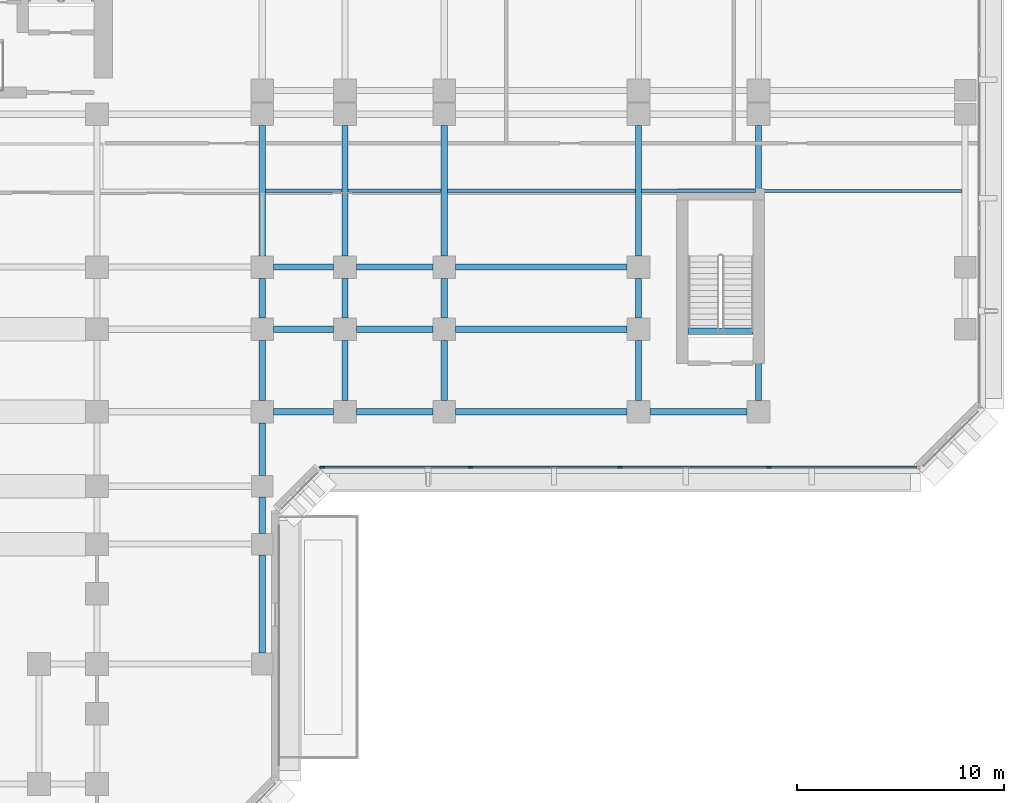
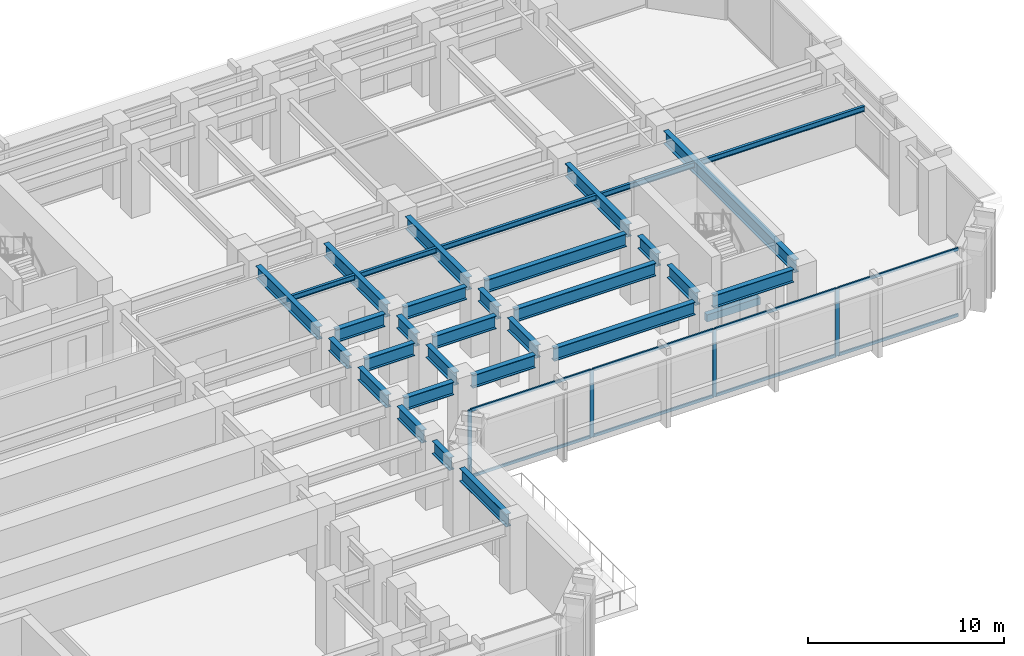
# One storey, part 3 of 16: 32 beams, 12 members, 1 element without a shape of its own.
"""IFC4 building model written with IfcOpenShell, lengths in metres."""

from ifc_helpers import new_model, si_unit, direction, frame, origin, origin_2d, place, context, subcontext, project, spatial, rectangle, i_section, extrude, material, layer, layer_set, material_profile, profile_set, type_object, element, aggregate, save


model = new_model("IFC4")

# Units and contexts
model_context = context("Model", 3, precision=1e-05, world=origin(), true_north=direction((0.0, 1.0)))
body_context = subcontext(model_context, "Body", "Model", "MODEL_VIEW")
ifc_project = project(units=[si_unit("LENGTHUNIT", "METRE"), si_unit("AREAUNIT", "SQUARE_METRE"), si_unit("VOLUMEUNIT", "CUBIC_METRE"), si_unit("PLANEANGLEUNIT", "RADIAN"), si_unit("MASSUNIT", "GRAM", prefix="KILO")], contexts=[model_context])

# Site, building, storey
site_placement = place(None, origin())
site = spatial("IfcSite", under=ifc_project, at=site_placement, CompositionType="ELEMENT")
building_placement = place(site_placement, origin())
building = spatial("IfcBuilding", under=site, at=building_placement, Name="Kefirva Bronze Tower", CompositionType="ELEMENT")
storey_placement = place(building_placement, frame((0.0, 0.0, 21.1201171875)))
storey = spatial("IfcBuildingStorey", under=building, at=storey_placement, Name="L04", CompositionType="ELEMENT", Elevation=21.1201171875)

# Curtain wall, members
ifc_material_1 = material(Name="Bronze anodised aluminium", Category="aluminium")
ifc_layer = layer(ifc_material_1, 0.239990234375, Name="Bronze anodised aluminium")
ifc_layer_set = layer_set([ifc_layer], Name="Bronze anodised aluminium")
curtain_wall_type = type_object("IfcCurtainWallType", Name="Podium Double-Height Glazed Curtain Wall", PredefinedType="USERDEFINED", material=ifc_layer_set)
curtain_wall_placement = place(storey_placement, origin())
curtain_wall = element("IfcCurtainWall", 1, at=curtain_wall_placement, inside=storey, type_object=curtain_wall_type, Name="L04 Curtain Wall 2", ObjectType="UNITISED CURTAIN WALL", PredefinedType="USERDEFINED")
ifc_material_profile_1 = material_profile(ifc_material_1, rectangle(XDim=0.090087890625, YDim=0.219970703125, at=origin_2d()), Name="ALU 90x220")
ifc_profile_set_1 = profile_set([ifc_material_profile_1], Name="Bronze anodised aluminium")
member_type_1 = type_object("IfcMemberType", Name="Bronze Mullion 90x220", PredefinedType="MULLION", material=ifc_profile_set_1)
member_1_placement = place(storey_placement, frame((34.10009765625, 16.1201171875, 0.0), z_axis=(0.0, 0.0, 1.0), x_axis=(0.0, 1.0, 0.0)))
member_1 = element("IfcMember", 2, at=member_1_placement, type_object=member_type_1, Name="CW-05 mullion 1", PredefinedType="MULLION", context=body_context, shape_type="SweptSolid", body=[
    extrude(rectangle(XDim=0.090087890625, YDim=0.219970703125, at=origin_2d()), origin(), (0.0, 0.0, 1.0), 4.199951171875),
])
member_2_placement = place(storey_placement, frame((41.277587890625, 16.1201171875, 0.0), z_axis=(0.0, 0.0, 1.0), x_axis=(0.0, 1.0, 0.0)))
member_2 = element("IfcMember", 3, at=member_2_placement, type_object=member_type_1, Name="CW-05 mullion 2", PredefinedType="MULLION", context=body_context, shape_type="SweptSolid", body=[
    extrude(rectangle(XDim=0.090087890625, YDim=0.219970703125, at=origin_2d()), origin(), (0.0, 0.0, 1.0), 4.199951171875),
])
member_3_placement = place(storey_placement, frame((48.5, 16.1201171875, 0.0), z_axis=(0.0, 0.0, 1.0), x_axis=(0.0, 1.0, 0.0)))
member_3 = element("IfcMember", 4, at=member_3_placement, type_object=member_type_1, Name="CW-05 mullion 3", PredefinedType="MULLION", context=body_context, shape_type="SweptSolid", body=[
    extrude(rectangle(XDim=0.090087890625, YDim=0.219970703125, at=origin_2d()), origin(), (0.0, 0.0, 1.0), 4.199951171875),
])
member_4_placement = place(storey_placement, frame((55.722412109375, 16.1201171875, 0.0), z_axis=(0.0, 0.0, 1.0), x_axis=(0.0, 1.0, 0.0)))
member_4 = element("IfcMember", 5, at=member_4_placement, type_object=member_type_1, Name="CW-05 mullion 4", PredefinedType="MULLION", context=body_context, shape_type="SweptSolid", body=[
    extrude(rectangle(XDim=0.090087890625, YDim=0.219970703125, at=origin_2d()), origin(), (0.0, 0.0, 1.0), 4.199951171875),
])
ifc_material_profile_2 = material_profile(ifc_material_1, rectangle(XDim=0.090087890625, YDim=0.179931640625, at=origin_2d()), Name="ALU 90x180")
ifc_profile_set_2 = profile_set([ifc_material_profile_2], Name="Bronze anodised aluminium")
member_type_2 = type_object("IfcMemberType", Name="Bronze Transom 90x180", PredefinedType="USERDEFINED", material=ifc_profile_set_2)
member_5_placement = place(storey_placement, frame((34.14501953125, 16.1201171875, 0.044921875), z_axis=(1.0, 0.0, 0.0), x_axis=(0.0, 1.0, 0.0)))
member_5 = element("IfcMember", 6, at=member_5_placement, type_object=member_type_2, Name="CW-05 transom 1.1", ObjectType="TRANSOM", PredefinedType="USERDEFINED", context=body_context, shape_type="SweptSolid", body=[
    extrude(rectangle(XDim=0.090087890625, YDim=0.179931640625, at=origin_2d()), origin(), (0.0, 0.0, 1.0), 7.08740234375),
])
member_6_placement = place(storey_placement, frame((34.14501953125, 16.1201171875, 4.15478515625), z_axis=(1.0, 0.0, 0.0), x_axis=(0.0, 1.0, 0.0)))
member_6 = element("IfcMember", 7, at=member_6_placement, type_object=member_type_2, Name="CW-05 transom 1.2", ObjectType="TRANSOM", PredefinedType="USERDEFINED", context=body_context, shape_type="SweptSolid", body=[
    extrude(rectangle(XDim=0.090087890625, YDim=0.179931640625, at=origin_2d()), origin(), (0.0, 0.0, 1.0), 7.08740234375),
])
member_7_placement = place(storey_placement, frame((41.322509765625, 16.1201171875, 0.044921875), z_axis=(1.0, 0.0, 0.0), x_axis=(0.0, 1.0, 0.0)))
member_7 = element("IfcMember", 8, at=member_7_placement, type_object=member_type_2, Name="CW-05 transom 2.1", ObjectType="TRANSOM", PredefinedType="USERDEFINED", context=body_context, shape_type="SweptSolid", body=[
    extrude(rectangle(XDim=0.090087890625, YDim=0.179931640625, at=origin_2d()), origin(), (0.0, 0.0, 1.0), 7.132568359375),
])
member_8_placement = place(storey_placement, frame((41.322509765625, 16.1201171875, 4.15478515625), z_axis=(1.0, 0.0, 0.0), x_axis=(0.0, 1.0, 0.0)))
member_8 = element("IfcMember", 9, at=member_8_placement, type_object=member_type_2, Name="CW-05 transom 2.2", ObjectType="TRANSOM", PredefinedType="USERDEFINED", context=body_context, shape_type="SweptSolid", body=[
    extrude(rectangle(XDim=0.090087890625, YDim=0.179931640625, at=origin_2d()), origin(), (0.0, 0.0, 1.0), 7.132568359375),
])
member_9_placement = place(storey_placement, frame((48.544921875, 16.1201171875, 0.044921875), z_axis=(1.0, 0.0, 0.0), x_axis=(0.0, 1.0, 0.0)))
member_9 = element("IfcMember", 10, at=member_9_placement, type_object=member_type_2, Name="CW-05 transom 3.1", ObjectType="TRANSOM", PredefinedType="USERDEFINED", context=body_context, shape_type="SweptSolid", body=[
    extrude(rectangle(XDim=0.090087890625, YDim=0.179931640625, at=origin_2d()), origin(), (0.0, 0.0, 1.0), 7.132568359375),
])
member_10_placement = place(storey_placement, frame((48.544921875, 16.1201171875, 4.15478515625), z_axis=(1.0, 0.0, 0.0), x_axis=(0.0, 1.0, 0.0)))
member_10 = element("IfcMember", 11, at=member_10_placement, type_object=member_type_2, Name="CW-05 transom 3.2", ObjectType="TRANSOM", PredefinedType="USERDEFINED", context=body_context, shape_type="SweptSolid", body=[
    extrude(rectangle(XDim=0.090087890625, YDim=0.179931640625, at=origin_2d()), origin(), (0.0, 0.0, 1.0), 7.132568359375),
])
member_11_placement = place(storey_placement, frame((55.767578125, 16.1201171875, 0.044921875), z_axis=(1.0, 0.0, 0.0), x_axis=(0.0, 1.0, 0.0)))
member_11 = element("IfcMember", 12, at=member_11_placement, type_object=member_type_2, Name="CW-05 transom 4.1", ObjectType="TRANSOM", PredefinedType="USERDEFINED", context=body_context, shape_type="SweptSolid", body=[
    extrude(rectangle(XDim=0.090087890625, YDim=0.179931640625, at=origin_2d()), origin(), (0.0, 0.0, 1.0), 7.08740234375),
])
member_12_placement = place(storey_placement, frame((55.767578125, 16.1201171875, 4.15478515625), z_axis=(1.0, 0.0, 0.0), x_axis=(0.0, 1.0, 0.0)))
member_12 = element("IfcMember", 13, at=member_12_placement, type_object=member_type_2, Name="CW-05 transom 4.2", ObjectType="TRANSOM", PredefinedType="USERDEFINED", context=body_context, shape_type="SweptSolid", body=[
    extrude(rectangle(XDim=0.090087890625, YDim=0.179931640625, at=origin_2d()), origin(), (0.0, 0.0, 1.0), 7.08740234375),
])
aggregate(curtain_wall, [member_1, member_2, member_3, member_4, member_5, member_6, member_7, member_8, member_9, member_10, member_11, member_12])

# Beams
ifc_material_2 = material(Name="Concrete C50/60", Category="concrete")
ifc_material_profile_3 = material_profile(ifc_material_2, rectangle(XDim=0.300048828125, YDim=0.449951171875, at=origin_2d()), Name="RC 300x450")
ifc_profile_set_3 = profile_set([ifc_material_profile_3], Name="Concrete C50/60")
beam_type_1 = type_object("IfcBeamType", Name="RC Stair Trimmer Beam 300x450", PredefinedType="BEAM", material=ifc_profile_set_3)
beam_1_placement = place(storey_placement, frame((51.794921875, 22.699951171875, -0.22509765625), z_axis=(1.0, 0.0, 0.0), x_axis=(0.0, 1.0, 0.0)))
element("IfcBeam", 14, at=beam_1_placement, inside=storey, type_object=beam_type_1, Name="L04 Stair 4 Landing Trimmer Beam", PredefinedType="BEAM", context=body_context, shape_type="SweptSolid", body=[
    extrude(rectangle(XDim=0.300048828125, YDim=0.449951171875, at=origin_2d()), origin(), (0.0, 0.0, 1.0), 3.150146484375),
])
ifc_material_3 = material(Name="Steel S355", Category="steel")
ifc_material_profile_4 = material_profile(ifc_material_3, i_section(OverallWidth=0.159912109375, OverallDepth=0.330078125, WebThickness=0.007568359375, FlangeThickness=0.011474609375, at=origin_2d()), Name="IPE 330")
ifc_profile_set_4 = profile_set([ifc_material_profile_4], Name="Steel S355")
beam_type_2 = type_object("IfcBeamType", Name="Steel Floor Joist IPE 330", PredefinedType="JOIST", material=ifc_profile_set_4)
beam_2_placement = place(storey_placement, frame((31.35009765625, 29.5, 4.034912109375), z_axis=(1.0, 0.0, 0.0), x_axis=(0.0, 1.0, 0.0)))
element("IfcBeam", 15, at=beam_2_placement, inside=storey, type_object=beam_type_2, Name="L04 JST-L04-31-295", PredefinedType="JOIST", context=body_context, shape_type="SweptSolid", body=[
    extrude(i_section(OverallWidth=0.159912109375, OverallDepth=0.330078125, WebThickness=0.007568359375, FlangeThickness=0.011474609375, at=origin_2d()), origin(), (0.0, 0.0, 1.0), 3.699951171875),
])
beam_3_placement = place(storey_placement, frame((35.35009765625, 29.5, 4.034912109375), z_axis=(1.0, 0.0, 0.0), x_axis=(0.0, 1.0, 0.0)))
element("IfcBeam", 16, at=beam_3_placement, inside=storey, type_object=beam_type_2, Name="L04 JST-L04-35-295", PredefinedType="JOIST", context=body_context, shape_type="SweptSolid", body=[
    extrude(i_section(OverallWidth=0.159912109375, OverallDepth=0.330078125, WebThickness=0.007568359375, FlangeThickness=0.011474609375, at=origin_2d()), origin(), (0.0, 0.0, 1.0), 4.5),
])
beam_4_placement = place(storey_placement, frame((40.14990234375, 29.5, 4.034912109375), z_axis=(1.0, 0.0, 0.0), x_axis=(0.0, 1.0, 0.0)))
element("IfcBeam", 17, at=beam_4_placement, inside=storey, type_object=beam_type_2, Name="L04 JST-L04-40-295", PredefinedType="JOIST", context=body_context, shape_type="SweptSolid", body=[
    extrude(i_section(OverallWidth=0.159912109375, OverallDepth=0.330078125, WebThickness=0.007568359375, FlangeThickness=0.011474609375, at=origin_2d()), origin(), (0.0, 0.0, 1.0), 9.10009765625),
])
beam_5_placement = place(storey_placement, frame((49.550048828125, 29.5, 4.034912109375), z_axis=(1.0, 0.0, 0.0), x_axis=(0.0, 1.0, 0.0)))
element("IfcBeam", 18, at=beam_5_placement, inside=storey, type_object=beam_type_2, Name="L04 JST-L04-49-295", PredefinedType="JOIST", context=body_context, shape_type="SweptSolid", body=[
    extrude(i_section(OverallWidth=0.159912109375, OverallDepth=0.330078125, WebThickness=0.007568359375, FlangeThickness=0.011474609375, at=origin_2d()), origin(), (0.0, 0.0, 1.0), 5.5),
])
beam_6_placement = place(storey_placement, frame((55.35009765625, 29.487548828125, 4.034912109375), z_axis=(1.0, 0.0, 0.0), x_axis=(0.0, 1.0, 0.0)))
element("IfcBeam", 19, at=beam_6_placement, inside=storey, type_object=beam_type_2, Name="L04 JST-L04-55-294", PredefinedType="JOIST", context=body_context, shape_type="SweptSolid", body=[
    extrude(i_section(OverallWidth=0.159912109375, OverallDepth=0.330078125, WebThickness=0.007568359375, FlangeThickness=0.011474609375, at=origin_2d()), origin(), (0.0, 0.0, 1.0), 9.699951171875),
])
ifc_material_profile_5 = material_profile(ifc_material_3, i_section(OverallWidth=0.300048828125, OverallDepth=0.800048828125, WebThickness=0.017578125, FlangeThickness=0.032958984375, at=origin_2d()), Name="HEB 800")
ifc_profile_set_5 = profile_set([ifc_material_profile_5], Name="Steel S355")
beam_type_3 = type_object("IfcBeamType", Name="Steel Girder HEB 800", PredefinedType="USERDEFINED", material=ifc_profile_set_5)
beam_7_placement = place(storey_placement, frame((31.75, 18.800048828125, 3.7998046875), z_axis=(1.0, 0.0, 0.0), x_axis=(0.0, 1.0, 0.0)))
element("IfcBeam", 20, at=beam_7_placement, inside=storey, type_object=beam_type_3, Name="L04 BM-L04-EW-31-188", ObjectType="GIRDER", PredefinedType="USERDEFINED", context=body_context, shape_type="SweptSolid", body=[
    extrude(i_section(OverallWidth=0.300048828125, OverallDepth=0.800048828125, WebThickness=0.017578125, FlangeThickness=0.032958984375, at=origin_2d()), origin(), (0.0, 0.0, 1.0), 2.89990234375),
])
beam_8_placement = place(storey_placement, frame((35.75, 18.800048828125, 3.7998046875), z_axis=(1.0, 0.0, 0.0), x_axis=(0.0, 1.0, 0.0)))
element("IfcBeam", 21, at=beam_8_placement, inside=storey, type_object=beam_type_3, Name="L04 BM-L04-EW-35-188", ObjectType="GIRDER", PredefinedType="USERDEFINED", context=body_context, shape_type="SweptSolid", body=[
    extrude(i_section(OverallWidth=0.300048828125, OverallDepth=0.800048828125, WebThickness=0.017578125, FlangeThickness=0.032958984375, at=origin_2d()), origin(), (0.0, 0.0, 1.0), 3.699951171875),
])
beam_9_placement = place(storey_placement, frame((40.550048828125, 18.800048828125, 3.7998046875), z_axis=(1.0, 0.0, 0.0), x_axis=(0.0, 1.0, 0.0)))
element("IfcBeam", 22, at=beam_9_placement, inside=storey, type_object=beam_type_3, Name="L04 BM-L04-EW-40-188", ObjectType="GIRDER", PredefinedType="USERDEFINED", context=body_context, shape_type="SweptSolid", body=[
    extrude(i_section(OverallWidth=0.300048828125, OverallDepth=0.800048828125, WebThickness=0.017578125, FlangeThickness=0.032958984375, at=origin_2d()), origin(), (0.0, 0.0, 1.0), 8.300048828125),
])
beam_10_placement = place(storey_placement, frame((49.949951171875, 18.800048828125, 3.7998046875), z_axis=(1.0, 0.0, 0.0), x_axis=(0.0, 1.0, 0.0)))
element("IfcBeam", 23, at=beam_10_placement, inside=storey, type_object=beam_type_3, Name="L04 BM-L04-EW-49-188", ObjectType="GIRDER", PredefinedType="USERDEFINED", context=body_context, shape_type="SweptSolid", body=[
    extrude(i_section(OverallWidth=0.300048828125, OverallDepth=0.800048828125, WebThickness=0.017578125, FlangeThickness=0.032958984375, at=origin_2d()), origin(), (0.0, 0.0, 1.0), 4.699951171875),
])
beam_11_placement = place(storey_placement, frame((31.75, 22.800048828125, 3.7998046875), z_axis=(1.0, 0.0, 0.0), x_axis=(0.0, 1.0, 0.0)))
element("IfcBeam", 24, at=beam_11_placement, inside=storey, type_object=beam_type_3, Name="L04 BM-L04-EW-31-228", ObjectType="GIRDER", PredefinedType="USERDEFINED", context=body_context, shape_type="SweptSolid", body=[
    extrude(i_section(OverallWidth=0.300048828125, OverallDepth=0.800048828125, WebThickness=0.017578125, FlangeThickness=0.032958984375, at=origin_2d()), origin(), (0.0, 0.0, 1.0), 2.89990234375),
])
beam_12_placement = place(storey_placement, frame((35.75, 22.800048828125, 3.7998046875), z_axis=(1.0, 0.0, 0.0), x_axis=(0.0, 1.0, 0.0)))
element("IfcBeam", 25, at=beam_12_placement, inside=storey, type_object=beam_type_3, Name="L04 BM-L04-EW-35-228", ObjectType="GIRDER", PredefinedType="USERDEFINED", context=body_context, shape_type="SweptSolid", body=[
    extrude(i_section(OverallWidth=0.300048828125, OverallDepth=0.800048828125, WebThickness=0.017578125, FlangeThickness=0.032958984375, at=origin_2d()), origin(), (0.0, 0.0, 1.0), 3.699951171875),
])
beam_13_placement = place(storey_placement, frame((40.550048828125, 22.800048828125, 3.7998046875), z_axis=(1.0, 0.0, 0.0), x_axis=(0.0, 1.0, 0.0)))
element("IfcBeam", 26, at=beam_13_placement, inside=storey, type_object=beam_type_3, Name="L04 BM-L04-EW-40-228", ObjectType="GIRDER", PredefinedType="USERDEFINED", context=body_context, shape_type="SweptSolid", body=[
    extrude(i_section(OverallWidth=0.300048828125, OverallDepth=0.800048828125, WebThickness=0.017578125, FlangeThickness=0.032958984375, at=origin_2d()), origin(), (0.0, 0.0, 1.0), 8.300048828125),
])
beam_14_placement = place(storey_placement, frame((31.75, 25.800048828125, 3.7998046875), z_axis=(1.0, 0.0, 0.0), x_axis=(0.0, 1.0, 0.0)))
element("IfcBeam", 27, at=beam_14_placement, inside=storey, type_object=beam_type_3, Name="L04 BM-L04-EW-31-258", ObjectType="GIRDER", PredefinedType="USERDEFINED", context=body_context, shape_type="SweptSolid", body=[
    extrude(i_section(OverallWidth=0.300048828125, OverallDepth=0.800048828125, WebThickness=0.017578125, FlangeThickness=0.032958984375, at=origin_2d()), origin(), (0.0, 0.0, 1.0), 2.89990234375),
])
beam_15_placement = place(storey_placement, frame((35.75, 25.800048828125, 3.7998046875), z_axis=(1.0, 0.0, 0.0), x_axis=(0.0, 1.0, 0.0)))
element("IfcBeam", 28, at=beam_15_placement, inside=storey, type_object=beam_type_3, Name="L04 BM-L04-EW-35-258", ObjectType="GIRDER", PredefinedType="USERDEFINED", context=body_context, shape_type="SweptSolid", body=[
    extrude(i_section(OverallWidth=0.300048828125, OverallDepth=0.800048828125, WebThickness=0.017578125, FlangeThickness=0.032958984375, at=origin_2d()), origin(), (0.0, 0.0, 1.0), 3.699951171875),
])
beam_16_placement = place(storey_placement, frame((40.550048828125, 25.800048828125, 3.7998046875), z_axis=(1.0, 0.0, 0.0), x_axis=(0.0, 1.0, 0.0)))
element("IfcBeam", 29, at=beam_16_placement, inside=storey, type_object=beam_type_3, Name="L04 BM-L04-EW-40-258", ObjectType="GIRDER", PredefinedType="USERDEFINED", context=body_context, shape_type="SweptSolid", body=[
    extrude(i_section(OverallWidth=0.300048828125, OverallDepth=0.800048828125, WebThickness=0.017578125, FlangeThickness=0.032958984375, at=origin_2d()), origin(), (0.0, 0.0, 1.0), 8.300048828125),
])
beam_17_placement = place(storey_placement, frame((31.199951171875, 7.125, 3.7998046875), z_axis=(0.0, 1.0, 0.0), x_axis=(-1.0, 0.0, 0.0)))
element("IfcBeam", 30, at=beam_17_placement, inside=storey, type_object=beam_type_3, Name="L04 BM-L04-NS-312-6", ObjectType="GIRDER", PredefinedType="USERDEFINED", context=body_context, shape_type="SweptSolid", body=[
    extrude(i_section(OverallWidth=0.300048828125, OverallDepth=0.800048828125, WebThickness=0.017578125, FlangeThickness=0.032958984375, at=origin_2d()), origin(), (0.0, 0.0, 1.0), 4.75),
])
beam_18_placement = place(storey_placement, frame((31.199951171875, 12.925048828125, 3.7998046875), z_axis=(0.0, 1.0, 0.0), x_axis=(-1.0, 0.0, 0.0)))
element("IfcBeam", 31, at=beam_18_placement, inside=storey, type_object=beam_type_3, Name="L04 BM-L04-NS-312-12", ObjectType="GIRDER", PredefinedType="USERDEFINED", context=body_context, shape_type="SweptSolid", body=[
    extrude(i_section(OverallWidth=0.300048828125, OverallDepth=0.800048828125, WebThickness=0.017578125, FlangeThickness=0.032958984375, at=origin_2d()), origin(), (0.0, 0.0, 1.0), 1.75),
])
beam_19_placement = place(storey_placement, frame((31.199951171875, 15.72509765625, 3.7998046875), z_axis=(0.0, 1.0, 0.0), x_axis=(-1.0, 0.0, 0.0)))
element("IfcBeam", 32, at=beam_19_placement, inside=storey, type_object=beam_type_3, Name="L04 BM-L04-NS-312-15", ObjectType="GIRDER", PredefinedType="USERDEFINED", context=body_context, shape_type="SweptSolid", body=[
    extrude(i_section(OverallWidth=0.300048828125, OverallDepth=0.800048828125, WebThickness=0.017578125, FlangeThickness=0.032958984375, at=origin_2d()), origin(), (0.0, 0.0, 1.0), 2.52490234375),
])
beam_20_placement = place(storey_placement, frame((31.199951171875, 19.35009765625, 3.7998046875), z_axis=(0.0, 1.0, 0.0), x_axis=(-1.0, 0.0, 0.0)))
element("IfcBeam", 33, at=beam_20_placement, inside=storey, type_object=beam_type_3, Name="L04 BM-L04-NS-312-18", ObjectType="GIRDER", PredefinedType="USERDEFINED", context=body_context, shape_type="SweptSolid", body=[
    extrude(i_section(OverallWidth=0.300048828125, OverallDepth=0.800048828125, WebThickness=0.017578125, FlangeThickness=0.032958984375, at=origin_2d()), origin(), (0.0, 0.0, 1.0), 2.89990234375),
])
beam_21_placement = place(storey_placement, frame((31.199951171875, 23.35009765625, 3.7998046875), z_axis=(0.0, 1.0, 0.0), x_axis=(-1.0, 0.0, 0.0)))
element("IfcBeam", 34, at=beam_21_placement, inside=storey, type_object=beam_type_3, Name="L04 BM-L04-NS-312-22", ObjectType="GIRDER", PredefinedType="USERDEFINED", context=body_context, shape_type="SweptSolid", body=[
    extrude(i_section(OverallWidth=0.300048828125, OverallDepth=0.800048828125, WebThickness=0.017578125, FlangeThickness=0.032958984375, at=origin_2d()), origin(), (0.0, 0.0, 1.0), 1.89990234375),
])
beam_22_placement = place(storey_placement, frame((31.199951171875, 26.35009765625, 3.7998046875), z_axis=(0.0, 1.0, 0.0), x_axis=(-1.0, 0.0, 0.0)))
element("IfcBeam", 35, at=beam_22_placement, inside=storey, type_object=beam_type_3, Name="L04 BM-L04-NS-312-25", ObjectType="GIRDER", PredefinedType="USERDEFINED", context=body_context, shape_type="SweptSolid", body=[
    extrude(i_section(OverallWidth=0.300048828125, OverallDepth=0.800048828125, WebThickness=0.017578125, FlangeThickness=0.032958984375, at=origin_2d()), origin(), (0.0, 0.0, 1.0), 6.2998046875),
])
beam_23_placement = place(storey_placement, frame((35.199951171875, 19.35009765625, 3.7998046875), z_axis=(0.0, 1.0, 0.0), x_axis=(-1.0, 0.0, 0.0)))
element("IfcBeam", 36, at=beam_23_placement, inside=storey, type_object=beam_type_3, Name="L04 BM-L04-NS-352-18", ObjectType="GIRDER", PredefinedType="USERDEFINED", context=body_context, shape_type="SweptSolid", body=[
    extrude(i_section(OverallWidth=0.300048828125, OverallDepth=0.800048828125, WebThickness=0.017578125, FlangeThickness=0.032958984375, at=origin_2d()), origin(), (0.0, 0.0, 1.0), 2.89990234375),
])
beam_24_placement = place(storey_placement, frame((35.199951171875, 23.35009765625, 3.7998046875), z_axis=(0.0, 1.0, 0.0), x_axis=(-1.0, 0.0, 0.0)))
element("IfcBeam", 37, at=beam_24_placement, inside=storey, type_object=beam_type_3, Name="L04 BM-L04-NS-352-22", ObjectType="GIRDER", PredefinedType="USERDEFINED", context=body_context, shape_type="SweptSolid", body=[
    extrude(i_section(OverallWidth=0.300048828125, OverallDepth=0.800048828125, WebThickness=0.017578125, FlangeThickness=0.032958984375, at=origin_2d()), origin(), (0.0, 0.0, 1.0), 1.89990234375),
])
beam_25_placement = place(storey_placement, frame((35.199951171875, 26.35009765625, 3.7998046875), z_axis=(0.0, 1.0, 0.0), x_axis=(-1.0, 0.0, 0.0)))
element("IfcBeam", 38, at=beam_25_placement, inside=storey, type_object=beam_type_3, Name="L04 BM-L04-NS-352-25", ObjectType="GIRDER", PredefinedType="USERDEFINED", context=body_context, shape_type="SweptSolid", body=[
    extrude(i_section(OverallWidth=0.300048828125, OverallDepth=0.800048828125, WebThickness=0.017578125, FlangeThickness=0.032958984375, at=origin_2d()), origin(), (0.0, 0.0, 1.0), 6.2998046875),
])
beam_26_placement = place(storey_placement, frame((40.0, 19.35009765625, 3.7998046875), z_axis=(0.0, 1.0, 0.0), x_axis=(-1.0, 0.0, 0.0)))
element("IfcBeam", 39, at=beam_26_placement, inside=storey, type_object=beam_type_3, Name="L04 BM-L04-NS-400-18", ObjectType="GIRDER", PredefinedType="USERDEFINED", context=body_context, shape_type="SweptSolid", body=[
    extrude(i_section(OverallWidth=0.300048828125, OverallDepth=0.800048828125, WebThickness=0.017578125, FlangeThickness=0.032958984375, at=origin_2d()), origin(), (0.0, 0.0, 1.0), 2.89990234375),
])
beam_27_placement = place(storey_placement, frame((40.0, 23.35009765625, 3.7998046875), z_axis=(0.0, 1.0, 0.0), x_axis=(-1.0, 0.0, 0.0)))
element("IfcBeam", 40, at=beam_27_placement, inside=storey, type_object=beam_type_3, Name="L04 BM-L04-NS-400-22", ObjectType="GIRDER", PredefinedType="USERDEFINED", context=body_context, shape_type="SweptSolid", body=[
    extrude(i_section(OverallWidth=0.300048828125, OverallDepth=0.800048828125, WebThickness=0.017578125, FlangeThickness=0.032958984375, at=origin_2d()), origin(), (0.0, 0.0, 1.0), 1.89990234375),
])
beam_28_placement = place(storey_placement, frame((40.0, 26.35009765625, 3.7998046875), z_axis=(0.0, 1.0, 0.0), x_axis=(-1.0, 0.0, 0.0)))
element("IfcBeam", 41, at=beam_28_placement, inside=storey, type_object=beam_type_3, Name="L04 BM-L04-NS-400-25", ObjectType="GIRDER", PredefinedType="USERDEFINED", context=body_context, shape_type="SweptSolid", body=[
    extrude(i_section(OverallWidth=0.300048828125, OverallDepth=0.800048828125, WebThickness=0.017578125, FlangeThickness=0.032958984375, at=origin_2d()), origin(), (0.0, 0.0, 1.0), 6.2998046875),
])
beam_29_placement = place(storey_placement, frame((49.39990234375, 19.35009765625, 3.7998046875), z_axis=(0.0, 1.0, 0.0), x_axis=(-1.0, 0.0, 0.0)))
element("IfcBeam", 42, at=beam_29_placement, inside=storey, type_object=beam_type_3, Name="L04 BM-L04-NS-494-18", ObjectType="GIRDER", PredefinedType="USERDEFINED", context=body_context, shape_type="SweptSolid", body=[
    extrude(i_section(OverallWidth=0.300048828125, OverallDepth=0.800048828125, WebThickness=0.017578125, FlangeThickness=0.032958984375, at=origin_2d()), origin(), (0.0, 0.0, 1.0), 2.89990234375),
])
beam_30_placement = place(storey_placement, frame((49.39990234375, 23.35009765625, 3.7998046875), z_axis=(0.0, 1.0, 0.0), x_axis=(-1.0, 0.0, 0.0)))
element("IfcBeam", 43, at=beam_30_placement, inside=storey, type_object=beam_type_3, Name="L04 BM-L04-NS-494-22", ObjectType="GIRDER", PredefinedType="USERDEFINED", context=body_context, shape_type="SweptSolid", body=[
    extrude(i_section(OverallWidth=0.300048828125, OverallDepth=0.800048828125, WebThickness=0.017578125, FlangeThickness=0.032958984375, at=origin_2d()), origin(), (0.0, 0.0, 1.0), 1.89990234375),
])
beam_31_placement = place(storey_placement, frame((49.39990234375, 26.35009765625, 3.7998046875), z_axis=(0.0, 1.0, 0.0), x_axis=(-1.0, 0.0, 0.0)))
element("IfcBeam", 44, at=beam_31_placement, inside=storey, type_object=beam_type_3, Name="L04 BM-L04-NS-494-25", ObjectType="GIRDER", PredefinedType="USERDEFINED", context=body_context, shape_type="SweptSolid", body=[
    extrude(i_section(OverallWidth=0.300048828125, OverallDepth=0.800048828125, WebThickness=0.017578125, FlangeThickness=0.032958984375, at=origin_2d()), origin(), (0.0, 0.0, 1.0), 6.2998046875),
])
beam_32_placement = place(storey_placement, frame((55.199951171875, 19.35009765625, 3.7998046875), z_axis=(0.0, 1.0, 0.0), x_axis=(-1.0, 0.0, 0.0)))
element("IfcBeam", 45, at=beam_32_placement, inside=storey, type_object=beam_type_3, Name="L04 BM-L04-NS-552-18", ObjectType="GIRDER", PredefinedType="USERDEFINED", context=body_context, shape_type="SweptSolid", body=[
    extrude(i_section(OverallWidth=0.300048828125, OverallDepth=0.800048828125, WebThickness=0.017578125, FlangeThickness=0.032958984375, at=origin_2d()), origin(), (0.0, 0.0, 1.0), 13.2998046875),
])

save(model, "model.ifc")
